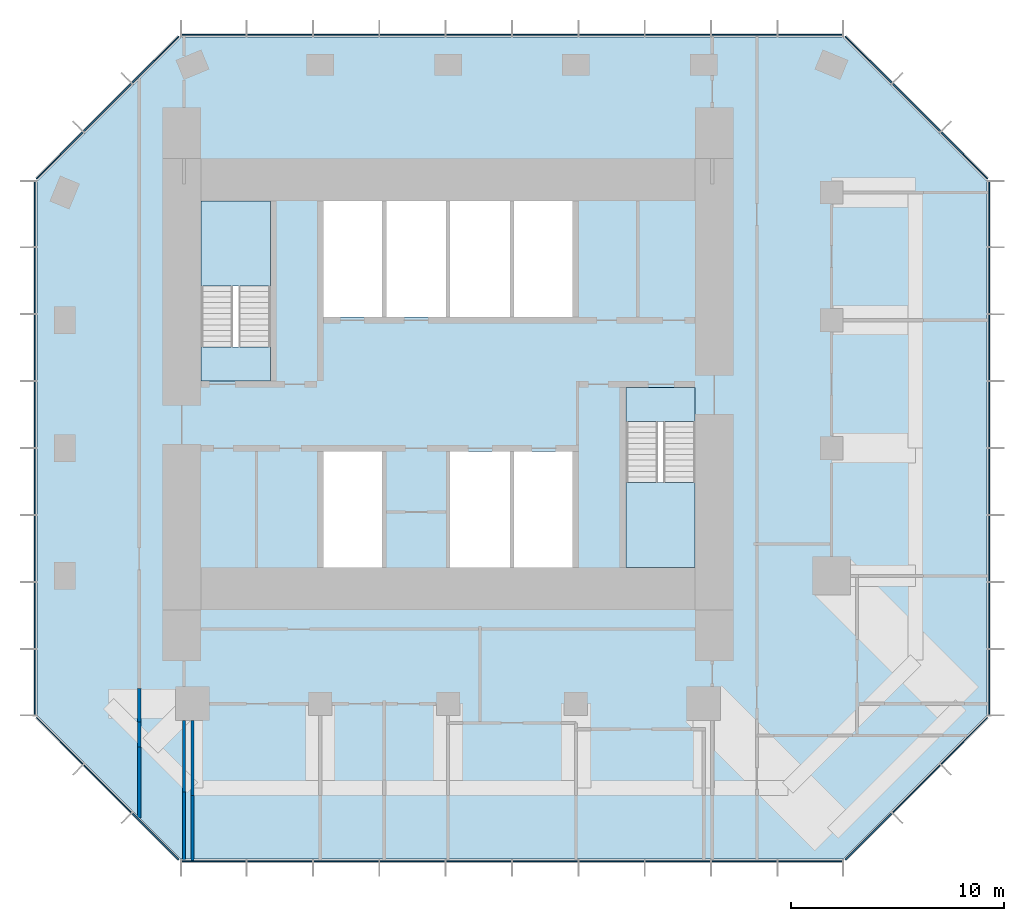
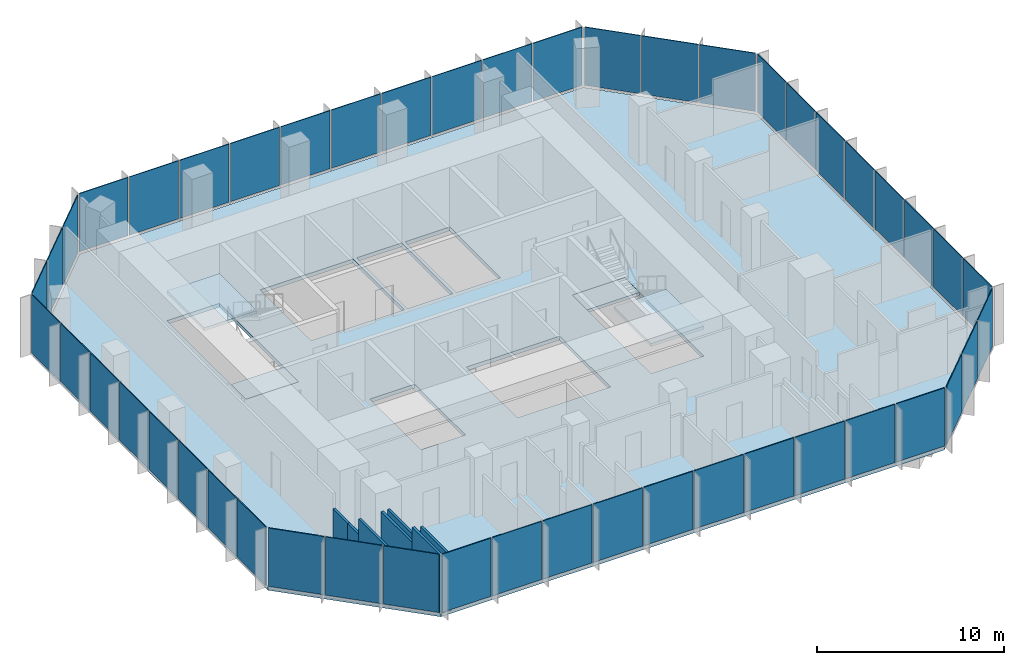
# One storey, part 7 of 11: 48 plates, 7 walls, 5 slabs, 10 elements without a shape of their own.
"""IFC4 building model written with IfcOpenShell, lengths in metres."""

from ifc_helpers import new_model, si_unit, direction, frame, frame_2d, origin, origin_2d, place, context, subcontext, project, spatial, polyline, rectangle, outline, extrude, material, layer, layer_set, type_object, element, aggregate, save


model = new_model("IFC4")

# Units and contexts
model_context = context("Model", 3, precision=1e-05, world=origin(), true_north=direction((0.0, 1.0)))
body_context = subcontext(model_context, "Body", "Model", "MODEL_VIEW")
ifc_project = project(units=[si_unit("LENGTHUNIT", "METRE"), si_unit("AREAUNIT", "SQUARE_METRE"), si_unit("VOLUMEUNIT", "CUBIC_METRE"), si_unit("PLANEANGLEUNIT", "RADIAN"), si_unit("MASSUNIT", "GRAM", prefix="KILO")], contexts=[model_context])

# Site, building, storey
site_placement = place(None, origin())
site = spatial("IfcSite", under=ifc_project, at=site_placement, CompositionType="ELEMENT")
building_placement = place(site_placement, origin())
building = spatial("IfcBuilding", under=site, at=building_placement, Name="Highveld Stack Headquarters", CompositionType="ELEMENT")
storey_placement = place(building_placement, frame((0.0, 0.0, 276.199951171875)))
storey = spatial("IfcBuildingStorey", under=building, at=storey_placement, Name="L68", CompositionType="ELEMENT", Elevation=276.199951171875)

# Curtain wall, plates
ifc_material_1 = material(Name="Aluminium bronze anodised", Category="aluminium")
ifc_layer_1 = layer(ifc_material_1, 0.199951171875)
ifc_layer_set_1 = layer_set([ifc_layer_1], Name="Aluminium bronze anodised")
curtain_wall_type = type_object("IfcCurtainWallType", Name="CW5 EXECUTIVE UNITISED CURTAIN WALL", PredefinedType="NOTDEFINED", material=ifc_layer_set_1)
curtain_wall_1_placement = place(storey_placement, origin())
curtain_wall_1 = element("IfcCurtainWall", 1, at=curtain_wall_1_placement, inside=storey, type_object=curtain_wall_type, Name="Curtain wall CW5 L68 S", PredefinedType="NOTDEFINED")
ifc_material_2 = material(Name="Glass bronze tinted triple glazed unit", Category="glass")
ifc_layer_2 = layer(ifc_material_2, 0.050048828125)
ifc_layer_set_2 = layer_set([ifc_layer_2], Name="Glass bronze tinted triple glazed unit")
plate_type = type_object("IfcPlateType", Name="CW5 PANEL BRONZE TINTED TRIPLE GLAZED UNIT", PredefinedType="CURTAIN_PANEL", material=ifc_layer_set_2)
plate_1_placement = place(storey_placement, frame((-5.005615234375, -19.39990234375, 0.10009765625), z_axis=(0.0, 0.0, 1.0), x_axis=(1.0, 0.0, 0.0)))
plate_1 = element("IfcPlate", 2, at=plate_1_placement, type_object=plate_type, Name="CW5 panel L68 1.1", PredefinedType="CURTAIN_PANEL", context=body_context, shape_type="SweptSolid", body=[
    extrude(rectangle(XDim=3.0185546875, YDim=0.050048828125, at=origin_2d()), origin(), (0.0, 0.0, 1.0), 3.800048828125),
])
plate_2_placement = place(storey_placement, frame((-1.906005859375, -19.39990234375, 0.10009765625), z_axis=(0.0, 0.0, 1.0), x_axis=(1.0, 0.0, 0.0)))
plate_2 = element("IfcPlate", 3, at=plate_2_placement, type_object=plate_type, Name="CW5 panel L68 2.1", PredefinedType="CURTAIN_PANEL", context=body_context, shape_type="SweptSolid", body=[
    extrude(rectangle(XDim=3.051025390625, YDim=0.050048828125, at=origin_2d()), origin(), (0.0, 0.0, 1.0), 3.800048828125),
])
plate_3_placement = place(storey_placement, frame((1.2099609375, -19.39990234375, 0.10009765625), z_axis=(0.0, 0.0, 1.0), x_axis=(1.0, 0.0, 0.0)))
plate_3 = element("IfcPlate", 4, at=plate_3_placement, type_object=plate_type, Name="CW5 panel L68 3.1", PredefinedType="CURTAIN_PANEL", context=body_context, shape_type="SweptSolid", body=[
    extrude(rectangle(XDim=3.051025390625, YDim=0.050048828125, at=origin_2d()), origin(), (0.0, 0.0, 1.0), 3.800048828125),
])
plate_4_placement = place(storey_placement, frame((4.325927734375, -19.39990234375, 0.10009765625), z_axis=(0.0, 0.0, 1.0), x_axis=(1.0, 0.0, 0.0)))
plate_4 = element("IfcPlate", 5, at=plate_4_placement, type_object=plate_type, Name="CW5 panel L68 4.1", PredefinedType="CURTAIN_PANEL", context=body_context, shape_type="SweptSolid", body=[
    extrude(rectangle(XDim=3.051025390625, YDim=0.050048828125, at=origin_2d()), origin(), (0.0, 0.0, 1.0), 3.800048828125),
])
plate_5_placement = place(storey_placement, frame((7.44189453125, -19.39990234375, 0.10009765625), z_axis=(0.0, 0.0, 1.0), x_axis=(1.0, 0.0, 0.0)))
plate_5 = element("IfcPlate", 6, at=plate_5_placement, type_object=plate_type, Name="CW5 panel L68 5.1", PredefinedType="CURTAIN_PANEL", context=body_context, shape_type="SweptSolid", body=[
    extrude(rectangle(XDim=3.051025390625, YDim=0.050048828125, at=origin_2d()), origin(), (0.0, 0.0, 1.0), 3.800048828125),
])
plate_6_placement = place(storey_placement, frame((10.55810546875, -19.39990234375, 0.10009765625), z_axis=(0.0, 0.0, 1.0), x_axis=(1.0, 0.0, 0.0)))
plate_6 = element("IfcPlate", 7, at=plate_6_placement, type_object=plate_type, Name="CW5 panel L68 6.1", PredefinedType="CURTAIN_PANEL", context=body_context, shape_type="SweptSolid", body=[
    extrude(rectangle(XDim=3.051025390625, YDim=0.050048828125, at=origin_2d()), origin(), (0.0, 0.0, 1.0), 3.800048828125),
])
plate_7_placement = place(storey_placement, frame((13.674072265625, -19.39990234375, 0.10009765625), z_axis=(0.0, 0.0, 1.0), x_axis=(1.0, 0.0, 0.0)))
plate_7 = element("IfcPlate", 8, at=plate_7_placement, type_object=plate_type, Name="CW5 panel L68 7.1", PredefinedType="CURTAIN_PANEL", context=body_context, shape_type="SweptSolid", body=[
    extrude(rectangle(XDim=3.051025390625, YDim=0.050048828125, at=origin_2d()), origin(), (0.0, 0.0, 1.0), 3.800048828125),
])
plate_8_placement = place(storey_placement, frame((16.789794921875, -19.39990234375, 0.10009765625), z_axis=(0.0, 0.0, 1.0), x_axis=(1.0, 0.0, 0.0)))
plate_8 = element("IfcPlate", 9, at=plate_8_placement, type_object=plate_type, Name="CW5 panel L68 8.1", PredefinedType="CURTAIN_PANEL", context=body_context, shape_type="SweptSolid", body=[
    extrude(rectangle(XDim=3.051025390625, YDim=0.050048828125, at=origin_2d()), origin(), (0.0, 0.0, 1.0), 3.800048828125),
])
plate_9_placement = place(storey_placement, frame((19.906005859375, -19.39990234375, 0.10009765625), z_axis=(0.0, 0.0, 1.0), x_axis=(1.0, 0.0, 0.0)))
plate_9 = element("IfcPlate", 10, at=plate_9_placement, type_object=plate_type, Name="CW5 panel L68 9.1", PredefinedType="CURTAIN_PANEL", context=body_context, shape_type="SweptSolid", body=[
    extrude(rectangle(XDim=3.051025390625, YDim=0.050048828125, at=origin_2d()), origin(), (0.0, 0.0, 1.0), 3.800048828125),
])
plate_10_placement = place(storey_placement, frame((23.005615234375, -19.39990234375, 0.10009765625), z_axis=(0.0, 0.0, 1.0), x_axis=(1.0, 0.0, 0.0)))
plate_10 = element("IfcPlate", 11, at=plate_10_placement, type_object=plate_type, Name="CW5 panel L68 10.1", PredefinedType="CURTAIN_PANEL", context=body_context, shape_type="SweptSolid", body=[
    extrude(rectangle(XDim=3.0185546875, YDim=0.050048828125, at=origin_2d()), origin(), (0.0, 0.0, 1.0), 3.800048828125),
])
aggregate(curtain_wall_1, [plate_1, plate_2, plate_3, plate_4, plate_5, plate_6, plate_7, plate_8, plate_9, plate_10])

curtain_wall_2_placement = place(storey_placement, origin())
curtain_wall_2 = element("IfcCurtainWall", 12, at=curtain_wall_2_placement, inside=storey, type_object=curtain_wall_type, Name="Curtain wall CW5 L68 SE", PredefinedType="NOTDEFINED")
plate_11_placement = place(storey_placement, frame((25.740478515625, -18.239501953125, 0.10009765625), z_axis=(0.0, 0.0, 1.0), x_axis=(0.707106781187, 0.707106781187, 0.0)))
plate_11 = element("IfcPlate", 13, at=plate_11_placement, type_object=plate_type, Name="CW5 panel L68 1.1", PredefinedType="CURTAIN_PANEL", context=body_context, shape_type="SweptSolid", body=[
    extrude(rectangle(XDim=3.08251953125, YDim=0.050048828125, at=origin_2d()), origin(), (0.0, 0.0, 1.0), 3.800048828125),
])
plate_12_placement = place(storey_placement, frame((27.989990234375, -15.989990234375, 0.10009765625), z_axis=(0.0, 0.0, 1.0), x_axis=(0.707106781187, 0.707106781187, 0.0)))
plate_12 = element("IfcPlate", 14, at=plate_12_placement, type_object=plate_type, Name="CW5 panel L68 2.1", PredefinedType="CURTAIN_PANEL", context=body_context, shape_type="SweptSolid", body=[
    extrude(rectangle(XDim=3.14990234375, YDim=0.050048828125, at=origin_2d()), origin(), (0.0, 0.0, 1.0), 3.800048828125),
])
plate_13_placement = place(storey_placement, frame((30.239501953125, -13.740478515625, 0.10009765625), z_axis=(0.0, 0.0, 1.0), x_axis=(0.707106781187, 0.707106781187, 0.0)))
plate_13 = element("IfcPlate", 15, at=plate_13_placement, type_object=plate_type, Name="CW5 panel L68 3.1", PredefinedType="CURTAIN_PANEL", context=body_context, shape_type="SweptSolid", body=[
    extrude(rectangle(XDim=3.08251953125, YDim=0.050048828125, at=origin_2d()), origin(), (0.0, 0.0, 1.0), 3.800048828125),
])
aggregate(curtain_wall_2, [plate_11, plate_12, plate_13])

curtain_wall_3_placement = place(storey_placement, origin())
curtain_wall_3 = element("IfcCurtainWall", 16, at=curtain_wall_3_placement, inside=storey, type_object=curtain_wall_type, Name="Curtain wall CW5 L68 E", PredefinedType="NOTDEFINED")
plate_14_placement = place(storey_placement, frame((31.39990234375, -10.9912109375, 0.10009765625), z_axis=(0.0, 0.0, 1.0), x_axis=(0.0, 1.0, 0.0)))
plate_14 = element("IfcPlate", 17, at=plate_14_placement, type_object=plate_type, Name="CW5 panel L68 1.1", PredefinedType="CURTAIN_PANEL", context=body_context, shape_type="SweptSolid", body=[
    extrude(rectangle(XDim=3.047607421875, YDim=0.050048828125, at=origin_2d()), origin(), (0.0, 0.0, 1.0), 3.800048828125),
])
plate_15_placement = place(storey_placement, frame((31.39990234375, -7.8623046875, 0.10009765625), z_axis=(0.0, 0.0, 1.0), x_axis=(0.0, 1.0, 0.0)))
plate_15 = element("IfcPlate", 18, at=plate_15_placement, type_object=plate_type, Name="CW5 panel L68 2.1", PredefinedType="CURTAIN_PANEL", context=body_context, shape_type="SweptSolid", body=[
    extrude(rectangle(XDim=3.080078125, YDim=0.050048828125, at=origin_2d()), origin(), (0.0, 0.0, 1.0), 3.800048828125),
])
plate_16_placement = place(storey_placement, frame((31.39990234375, -4.717529296875, 0.10009765625), z_axis=(0.0, 0.0, 1.0), x_axis=(0.0, 1.0, 0.0)))
plate_16 = element("IfcPlate", 19, at=plate_16_placement, type_object=plate_type, Name="CW5 panel L68 3.1", PredefinedType="CURTAIN_PANEL", context=body_context, shape_type="SweptSolid", body=[
    extrude(rectangle(XDim=3.080078125, YDim=0.050048828125, at=origin_2d()), origin(), (0.0, 0.0, 1.0), 3.800048828125),
])
plate_17_placement = place(storey_placement, frame((31.39990234375, -1.572509765625, 0.10009765625), z_axis=(0.0, 0.0, 1.0), x_axis=(0.0, 1.0, 0.0)))
plate_17 = element("IfcPlate", 20, at=plate_17_placement, type_object=plate_type, Name="CW5 panel L68 4.1", PredefinedType="CURTAIN_PANEL", context=body_context, shape_type="SweptSolid", body=[
    extrude(rectangle(XDim=3.080078125, YDim=0.050048828125, at=origin_2d()), origin(), (0.0, 0.0, 1.0), 3.800048828125),
])
plate_18_placement = place(storey_placement, frame((31.39990234375, 1.572509765625, 0.10009765625), z_axis=(0.0, 0.0, 1.0), x_axis=(0.0, 1.0, 0.0)))
plate_18 = element("IfcPlate", 21, at=plate_18_placement, type_object=plate_type, Name="CW5 panel L68 5.1", PredefinedType="CURTAIN_PANEL", context=body_context, shape_type="SweptSolid", body=[
    extrude(rectangle(XDim=3.080078125, YDim=0.050048828125, at=origin_2d()), origin(), (0.0, 0.0, 1.0), 3.800048828125),
])
plate_19_placement = place(storey_placement, frame((31.39990234375, 4.717529296875, 0.10009765625), z_axis=(0.0, 0.0, 1.0), x_axis=(0.0, 1.0, 0.0)))
plate_19 = element("IfcPlate", 22, at=plate_19_placement, type_object=plate_type, Name="CW5 panel L68 6.1", PredefinedType="CURTAIN_PANEL", context=body_context, shape_type="SweptSolid", body=[
    extrude(rectangle(XDim=3.080078125, YDim=0.050048828125, at=origin_2d()), origin(), (0.0, 0.0, 1.0), 3.800048828125),
])
plate_20_placement = place(storey_placement, frame((31.39990234375, 7.8623046875, 0.10009765625), z_axis=(0.0, 0.0, 1.0), x_axis=(0.0, 1.0, 0.0)))
plate_20 = element("IfcPlate", 23, at=plate_20_placement, type_object=plate_type, Name="CW5 panel L68 7.1", PredefinedType="CURTAIN_PANEL", context=body_context, shape_type="SweptSolid", body=[
    extrude(rectangle(XDim=3.080078125, YDim=0.050048828125, at=origin_2d()), origin(), (0.0, 0.0, 1.0), 3.800048828125),
])
plate_21_placement = place(storey_placement, frame((31.39990234375, 10.9912109375, 0.10009765625), z_axis=(0.0, 0.0, 1.0), x_axis=(0.0, 1.0, 0.0)))
plate_21 = element("IfcPlate", 24, at=plate_21_placement, type_object=plate_type, Name="CW5 panel L68 8.1", PredefinedType="CURTAIN_PANEL", context=body_context, shape_type="SweptSolid", body=[
    extrude(rectangle(XDim=3.047607421875, YDim=0.050048828125, at=origin_2d()), origin(), (0.0, 0.0, 1.0), 3.800048828125),
])
aggregate(curtain_wall_3, [plate_14, plate_15, plate_16, plate_17, plate_18, plate_19, plate_20, plate_21])

curtain_wall_4_placement = place(storey_placement, origin())
curtain_wall_4 = element("IfcCurtainWall", 25, at=curtain_wall_4_placement, inside=storey, type_object=curtain_wall_type, Name="Curtain wall CW5 L68 NE", PredefinedType="NOTDEFINED")
plate_22_placement = place(storey_placement, frame((30.239501953125, 13.740478515625, 0.10009765625), z_axis=(0.0, 0.0, 1.0), x_axis=(-0.707106781187, 0.707106781187, 0.0)))
plate_22 = element("IfcPlate", 26, at=plate_22_placement, type_object=plate_type, Name="CW5 panel L68 1.1", PredefinedType="CURTAIN_PANEL", context=body_context, shape_type="SweptSolid", body=[
    extrude(rectangle(XDim=3.08251953125, YDim=0.050048828125, at=origin_2d()), origin(), (0.0, 0.0, 1.0), 3.800048828125),
])
plate_23_placement = place(storey_placement, frame((27.989990234375, 15.989990234375, 0.10009765625), z_axis=(0.0, 0.0, 1.0), x_axis=(-0.707106781187, 0.707106781187, 0.0)))
plate_23 = element("IfcPlate", 27, at=plate_23_placement, type_object=plate_type, Name="CW5 panel L68 2.1", PredefinedType="CURTAIN_PANEL", context=body_context, shape_type="SweptSolid", body=[
    extrude(rectangle(XDim=3.14990234375, YDim=0.050048828125, at=origin_2d()), origin(), (0.0, 0.0, 1.0), 3.800048828125),
])
plate_24_placement = place(storey_placement, frame((25.740478515625, 18.239501953125, 0.10009765625), z_axis=(0.0, 0.0, 1.0), x_axis=(-0.707106781187, 0.707106781187, 0.0)))
plate_24 = element("IfcPlate", 28, at=plate_24_placement, type_object=plate_type, Name="CW5 panel L68 3.1", PredefinedType="CURTAIN_PANEL", context=body_context, shape_type="SweptSolid", body=[
    extrude(rectangle(XDim=3.08251953125, YDim=0.050048828125, at=origin_2d()), origin(), (0.0, 0.0, 1.0), 3.800048828125),
])
aggregate(curtain_wall_4, [plate_22, plate_23, plate_24])

curtain_wall_5_placement = place(storey_placement, origin())
curtain_wall_5 = element("IfcCurtainWall", 29, at=curtain_wall_5_placement, inside=storey, type_object=curtain_wall_type, Name="Curtain wall CW5 L68 N", PredefinedType="NOTDEFINED")
plate_25_placement = place(storey_placement, frame((23.005615234375, 19.39990234375, 0.10009765625), z_axis=(0.0, 0.0, 1.0), x_axis=(-1.0, 0.0, 0.0)))
plate_25 = element("IfcPlate", 30, at=plate_25_placement, type_object=plate_type, Name="CW5 panel L68 1.1", PredefinedType="CURTAIN_PANEL", context=body_context, shape_type="SweptSolid", body=[
    extrude(rectangle(XDim=3.0185546875, YDim=0.050048828125, at=origin_2d()), origin(), (0.0, 0.0, 1.0), 3.800048828125),
])
plate_26_placement = place(storey_placement, frame((19.906005859375, 19.39990234375, 0.10009765625), z_axis=(0.0, 0.0, 1.0), x_axis=(-1.0, 0.0, 0.0)))
plate_26 = element("IfcPlate", 31, at=plate_26_placement, type_object=plate_type, Name="CW5 panel L68 2.1", PredefinedType="CURTAIN_PANEL", context=body_context, shape_type="SweptSolid", body=[
    extrude(rectangle(XDim=3.051025390625, YDim=0.050048828125, at=origin_2d()), origin(), (0.0, 0.0, 1.0), 3.800048828125),
])
plate_27_placement = place(storey_placement, frame((16.7900390625, 19.39990234375, 0.10009765625), z_axis=(0.0, 0.0, 1.0), x_axis=(-1.0, 0.0, 0.0)))
plate_27 = element("IfcPlate", 32, at=plate_27_placement, type_object=plate_type, Name="CW5 panel L68 3.1", PredefinedType="CURTAIN_PANEL", context=body_context, shape_type="SweptSolid", body=[
    extrude(rectangle(XDim=3.051025390625, YDim=0.050048828125, at=origin_2d()), origin(), (0.0, 0.0, 1.0), 3.800048828125),
])
plate_28_placement = place(storey_placement, frame((13.674072265625, 19.39990234375, 0.10009765625), z_axis=(0.0, 0.0, 1.0), x_axis=(-1.0, 0.0, 0.0)))
plate_28 = element("IfcPlate", 33, at=plate_28_placement, type_object=plate_type, Name="CW5 panel L68 4.1", PredefinedType="CURTAIN_PANEL", context=body_context, shape_type="SweptSolid", body=[
    extrude(rectangle(XDim=3.051025390625, YDim=0.050048828125, at=origin_2d()), origin(), (0.0, 0.0, 1.0), 3.800048828125),
])
plate_29_placement = place(storey_placement, frame((10.55810546875, 19.39990234375, 0.10009765625), z_axis=(0.0, 0.0, 1.0), x_axis=(-1.0, 0.0, 0.0)))
plate_29 = element("IfcPlate", 34, at=plate_29_placement, type_object=plate_type, Name="CW5 panel L68 5.1", PredefinedType="CURTAIN_PANEL", context=body_context, shape_type="SweptSolid", body=[
    extrude(rectangle(XDim=3.051025390625, YDim=0.050048828125, at=origin_2d()), origin(), (0.0, 0.0, 1.0), 3.800048828125),
])
plate_30_placement = place(storey_placement, frame((7.44189453125, 19.39990234375, 0.10009765625), z_axis=(0.0, 0.0, 1.0), x_axis=(-1.0, 0.0, 0.0)))
plate_30 = element("IfcPlate", 35, at=plate_30_placement, type_object=plate_type, Name="CW5 panel L68 6.1", PredefinedType="CURTAIN_PANEL", context=body_context, shape_type="SweptSolid", body=[
    extrude(rectangle(XDim=3.051025390625, YDim=0.050048828125, at=origin_2d()), origin(), (0.0, 0.0, 1.0), 3.800048828125),
])
plate_31_placement = place(storey_placement, frame((4.325927734375, 19.39990234375, 0.10009765625), z_axis=(0.0, 0.0, 1.0), x_axis=(-1.0, 0.0, 0.0)))
plate_31 = element("IfcPlate", 36, at=plate_31_placement, type_object=plate_type, Name="CW5 panel L68 7.1", PredefinedType="CURTAIN_PANEL", context=body_context, shape_type="SweptSolid", body=[
    extrude(rectangle(XDim=3.051025390625, YDim=0.050048828125, at=origin_2d()), origin(), (0.0, 0.0, 1.0), 3.800048828125),
])
plate_32_placement = place(storey_placement, frame((1.210205078125, 19.39990234375, 0.10009765625), z_axis=(0.0, 0.0, 1.0), x_axis=(-1.0, 0.0, 0.0)))
plate_32 = element("IfcPlate", 37, at=plate_32_placement, type_object=plate_type, Name="CW5 panel L68 8.1", PredefinedType="CURTAIN_PANEL", context=body_context, shape_type="SweptSolid", body=[
    extrude(rectangle(XDim=3.051025390625, YDim=0.050048828125, at=origin_2d()), origin(), (0.0, 0.0, 1.0), 3.800048828125),
])
plate_33_placement = place(storey_placement, frame((-1.906005859375, 19.39990234375, 0.10009765625), z_axis=(0.0, 0.0, 1.0), x_axis=(-1.0, 0.0, 0.0)))
plate_33 = element("IfcPlate", 38, at=plate_33_placement, type_object=plate_type, Name="CW5 panel L68 9.1", PredefinedType="CURTAIN_PANEL", context=body_context, shape_type="SweptSolid", body=[
    extrude(rectangle(XDim=3.051025390625, YDim=0.050048828125, at=origin_2d()), origin(), (0.0, 0.0, 1.0), 3.800048828125),
])
plate_34_placement = place(storey_placement, frame((-5.005615234375, 19.39990234375, 0.10009765625), z_axis=(0.0, 0.0, 1.0), x_axis=(-1.0, 0.0, 0.0)))
plate_34 = element("IfcPlate", 39, at=plate_34_placement, type_object=plate_type, Name="CW5 panel L68 10.1", PredefinedType="CURTAIN_PANEL", context=body_context, shape_type="SweptSolid", body=[
    extrude(rectangle(XDim=3.0185546875, YDim=0.050048828125, at=origin_2d()), origin(), (0.0, 0.0, 1.0), 3.800048828125),
])
aggregate(curtain_wall_5, [plate_25, plate_26, plate_27, plate_28, plate_29, plate_30, plate_31, plate_32, plate_33, plate_34])

curtain_wall_6_placement = place(storey_placement, origin())
curtain_wall_6 = element("IfcCurtainWall", 40, at=curtain_wall_6_placement, inside=storey, type_object=curtain_wall_type, Name="Curtain wall CW5 L68 NW", PredefinedType="NOTDEFINED")
plate_35_placement = place(storey_placement, frame((-7.740478515625, 18.239501953125, 0.10009765625), z_axis=(0.0, 0.0, 1.0), x_axis=(-0.707106781187, -0.707106781187, 0.0)))
plate_35 = element("IfcPlate", 41, at=plate_35_placement, type_object=plate_type, Name="CW5 panel L68 1.1", PredefinedType="CURTAIN_PANEL", context=body_context, shape_type="SweptSolid", body=[
    extrude(rectangle(XDim=3.08251953125, YDim=0.050048828125, at=origin_2d()), origin(), (0.0, 0.0, 1.0), 3.800048828125),
])
plate_36_placement = place(storey_placement, frame((-9.989990234375, 15.989990234375, 0.10009765625), z_axis=(0.0, 0.0, 1.0), x_axis=(-0.707106781187, -0.707106781187, 0.0)))
plate_36 = element("IfcPlate", 42, at=plate_36_placement, type_object=plate_type, Name="CW5 panel L68 2.1", PredefinedType="CURTAIN_PANEL", context=body_context, shape_type="SweptSolid", body=[
    extrude(rectangle(XDim=3.14990234375, YDim=0.050048828125, at=origin_2d()), origin(), (0.0, 0.0, 1.0), 3.800048828125),
])
plate_37_placement = place(storey_placement, frame((-12.239501953125, 13.740478515625, 0.10009765625), z_axis=(0.0, 0.0, 1.0), x_axis=(-0.707106781187, -0.707106781187, 0.0)))
plate_37 = element("IfcPlate", 43, at=plate_37_placement, type_object=plate_type, Name="CW5 panel L68 3.1", PredefinedType="CURTAIN_PANEL", context=body_context, shape_type="SweptSolid", body=[
    extrude(rectangle(XDim=3.08251953125, YDim=0.050048828125, at=origin_2d()), origin(), (0.0, 0.0, 1.0), 3.800048828125),
])
aggregate(curtain_wall_6, [plate_35, plate_36, plate_37])

curtain_wall_7_placement = place(storey_placement, origin())
curtain_wall_7 = element("IfcCurtainWall", 44, at=curtain_wall_7_placement, inside=storey, type_object=curtain_wall_type, Name="Curtain wall CW5 L68 W", PredefinedType="NOTDEFINED")
plate_38_placement = place(storey_placement, frame((-13.39990234375, 10.9912109375, 0.10009765625), z_axis=(0.0, 0.0, 1.0), x_axis=(0.0, -1.0, 0.0)))
plate_38 = element("IfcPlate", 45, at=plate_38_placement, type_object=plate_type, Name="CW5 panel L68 1.1", PredefinedType="CURTAIN_PANEL", context=body_context, shape_type="SweptSolid", body=[
    extrude(rectangle(XDim=3.047607421875, YDim=0.050048828125, at=origin_2d()), origin(), (0.0, 0.0, 1.0), 3.800048828125),
])
plate_39_placement = place(storey_placement, frame((-13.39990234375, 7.8623046875, 0.10009765625), z_axis=(0.0, 0.0, 1.0), x_axis=(0.0, -1.0, 0.0)))
plate_39 = element("IfcPlate", 46, at=plate_39_placement, type_object=plate_type, Name="CW5 panel L68 2.1", PredefinedType="CURTAIN_PANEL", context=body_context, shape_type="SweptSolid", body=[
    extrude(rectangle(XDim=3.080078125, YDim=0.050048828125, at=origin_2d()), origin(), (0.0, 0.0, 1.0), 3.800048828125),
])
plate_40_placement = place(storey_placement, frame((-13.39990234375, 4.717529296875, 0.10009765625), z_axis=(0.0, 0.0, 1.0), x_axis=(0.0, -1.0, 0.0)))
plate_40 = element("IfcPlate", 47, at=plate_40_placement, type_object=plate_type, Name="CW5 panel L68 3.1", PredefinedType="CURTAIN_PANEL", context=body_context, shape_type="SweptSolid", body=[
    extrude(rectangle(XDim=3.080078125, YDim=0.050048828125, at=origin_2d()), origin(), (0.0, 0.0, 1.0), 3.800048828125),
])
plate_41_placement = place(storey_placement, frame((-13.39990234375, 1.572509765625, 0.10009765625), z_axis=(0.0, 0.0, 1.0), x_axis=(0.0, -1.0, 0.0)))
plate_41 = element("IfcPlate", 48, at=plate_41_placement, type_object=plate_type, Name="CW5 panel L68 4.1", PredefinedType="CURTAIN_PANEL", context=body_context, shape_type="SweptSolid", body=[
    extrude(rectangle(XDim=3.080078125, YDim=0.050048828125, at=origin_2d()), origin(), (0.0, 0.0, 1.0), 3.800048828125),
])
plate_42_placement = place(storey_placement, frame((-13.39990234375, -1.572509765625, 0.10009765625), z_axis=(0.0, 0.0, 1.0), x_axis=(0.0, -1.0, 0.0)))
plate_42 = element("IfcPlate", 49, at=plate_42_placement, type_object=plate_type, Name="CW5 panel L68 5.1", PredefinedType="CURTAIN_PANEL", context=body_context, shape_type="SweptSolid", body=[
    extrude(rectangle(XDim=3.080078125, YDim=0.050048828125, at=origin_2d()), origin(), (0.0, 0.0, 1.0), 3.800048828125),
])
plate_43_placement = place(storey_placement, frame((-13.39990234375, -4.717529296875, 0.10009765625), z_axis=(0.0, 0.0, 1.0), x_axis=(0.0, -1.0, 0.0)))
plate_43 = element("IfcPlate", 50, at=plate_43_placement, type_object=plate_type, Name="CW5 panel L68 6.1", PredefinedType="CURTAIN_PANEL", context=body_context, shape_type="SweptSolid", body=[
    extrude(rectangle(XDim=3.080078125, YDim=0.050048828125, at=origin_2d()), origin(), (0.0, 0.0, 1.0), 3.800048828125),
])
plate_44_placement = place(storey_placement, frame((-13.39990234375, -7.8623046875, 0.10009765625), z_axis=(0.0, 0.0, 1.0), x_axis=(0.0, -1.0, 0.0)))
plate_44 = element("IfcPlate", 51, at=plate_44_placement, type_object=plate_type, Name="CW5 panel L68 7.1", PredefinedType="CURTAIN_PANEL", context=body_context, shape_type="SweptSolid", body=[
    extrude(rectangle(XDim=3.080078125, YDim=0.050048828125, at=origin_2d()), origin(), (0.0, 0.0, 1.0), 3.800048828125),
])
plate_45_placement = place(storey_placement, frame((-13.39990234375, -10.9912109375, 0.10009765625), z_axis=(0.0, 0.0, 1.0), x_axis=(0.0, -1.0, 0.0)))
plate_45 = element("IfcPlate", 52, at=plate_45_placement, type_object=plate_type, Name="CW5 panel L68 8.1", PredefinedType="CURTAIN_PANEL", context=body_context, shape_type="SweptSolid", body=[
    extrude(rectangle(XDim=3.047607421875, YDim=0.050048828125, at=origin_2d()), origin(), (0.0, 0.0, 1.0), 3.800048828125),
])
aggregate(curtain_wall_7, [plate_38, plate_39, plate_40, plate_41, plate_42, plate_43, plate_44, plate_45])

curtain_wall_8_placement = place(storey_placement, origin())
curtain_wall_8 = element("IfcCurtainWall", 53, at=curtain_wall_8_placement, inside=storey, type_object=curtain_wall_type, Name="Curtain wall CW5 L68 SW", PredefinedType="NOTDEFINED")
plate_46_placement = place(storey_placement, frame((-12.239501953125, -13.740478515625, 0.10009765625), z_axis=(0.0, 0.0, 1.0), x_axis=(0.707106781187, -0.707106781187, 0.0)))
plate_46 = element("IfcPlate", 54, at=plate_46_placement, type_object=plate_type, Name="CW5 panel L68 1.1", PredefinedType="CURTAIN_PANEL", context=body_context, shape_type="SweptSolid", body=[
    extrude(rectangle(XDim=3.08251953125, YDim=0.050048828125, at=origin_2d()), origin(), (0.0, 0.0, 1.0), 3.800048828125),
])
plate_47_placement = place(storey_placement, frame((-9.989990234375, -15.989990234375, 0.10009765625), z_axis=(0.0, 0.0, 1.0), x_axis=(0.707106781187, -0.707106781187, 0.0)))
plate_47 = element("IfcPlate", 55, at=plate_47_placement, type_object=plate_type, Name="CW5 panel L68 2.1", PredefinedType="CURTAIN_PANEL", context=body_context, shape_type="SweptSolid", body=[
    extrude(rectangle(XDim=3.14990234375, YDim=0.050048828125, at=origin_2d()), origin(), (0.0, 0.0, 1.0), 3.800048828125),
])
plate_48_placement = place(storey_placement, frame((-7.740478515625, -18.239501953125, 0.10009765625), z_axis=(0.0, 0.0, 1.0), x_axis=(0.707106781187, -0.707106781187, 0.0)))
plate_48 = element("IfcPlate", 56, at=plate_48_placement, type_object=plate_type, Name="CW5 panel L68 3.1", PredefinedType="CURTAIN_PANEL", context=body_context, shape_type="SweptSolid", body=[
    extrude(rectangle(XDim=3.08251953125, YDim=0.050048828125, at=origin_2d()), origin(), (0.0, 0.0, 1.0), 3.800048828125),
])
aggregate(curtain_wall_8, [plate_46, plate_47, plate_48])

# Slab
ifc_material_3 = material(Name="Concrete C60/75", Category="concrete")
ifc_layer_3 = layer(ifc_material_3, 0.25)
ifc_layer_set_3 = layer_set([ifc_layer_3], Name="Concrete C60/75")
slab_type_1 = type_object("IfcSlabType", Name="PT FLAT SLAB 250", PredefinedType="FLOOR", material=ifc_layer_set_3)
slab_1_placement = place(storey_placement, frame((0.0, 0.0, -0.25)))
element("IfcSlab", 57, at=slab_1_placement, inside=storey, type_object=slab_type_1, Name="Floor slab L68", PredefinedType="FLOOR", context=body_context, shape_type="SweptSolid", body=[
    extrude(outline(polyline([(-6.53857421875, -19.300048828125), (24.53857421875, -19.300048828125), (31.300048828125, -12.53857421875), (31.300048828125, 12.53857421875), (24.53857421875, 19.300048828125), (-6.53857421875, 19.300048828125), (-13.300048828125, 12.53857421875), (-13.300048828125, -12.53857421875), (-6.53857421875, -19.300048828125)]), holes=[polyline([(0.14990234375, 6.14990234375), (5.89990234375, 6.14990234375), (5.89990234375, 11.60009765625), (0.14990234375, 11.60009765625), (0.14990234375, 6.14990234375)]), polyline([(9.10009765625, 6.14990234375), (11.85009765625, 6.14990234375), (11.85009765625, 11.60009765625), (9.10009765625, 11.60009765625), (9.10009765625, 6.14990234375)]), polyline([(6.10009765625, 6.14990234375), (8.89990234375, 6.14990234375), (8.89990234375, 11.60009765625), (6.10009765625, 11.60009765625), (6.10009765625, 6.14990234375)]), polyline([(6.10009765625, -5.60009765625), (11.85009765625, -5.60009765625), (11.85009765625, -0.14990234375), (6.10009765625, -0.14990234375), (6.10009765625, -5.60009765625)]), polyline([(0.14990234375, -5.60009765625), (2.89990234375, -5.60009765625), (2.89990234375, -0.14990234375), (0.14990234375, -0.14990234375), (0.14990234375, -5.60009765625)]), polyline([(-5.60009765625, 3.14990234375), (-2.35009765625, 3.14990234375), (-2.35009765625, 11.60009765625), (-5.60009765625, 11.60009765625), (-5.60009765625, 3.14990234375)]), polyline([(14.35009765625, -5.60009765625), (17.60009765625, -5.60009765625), (17.60009765625, 2.85009765625), (14.35009765625, 2.85009765625), (14.35009765625, -5.60009765625)])]), origin(), (0.0, 0.0, 1.0), 0.25),
])

# Stair, slabs
ifc_material_4 = material(Name="Concrete C40/50, precast", Category="concrete")
stair_type_1 = type_object("IfcStairType", Name="STAIR S1 HALF TURN 1500", PredefinedType="HALF_TURN_STAIR", material=ifc_material_4)
stair_1_placement = place(storey_placement, origin())
stair_1 = element("IfcStair", 58, at=stair_1_placement, inside=storey, type_object=stair_type_1, Name="Stair S1 L68", PredefinedType="HALF_TURN_STAIR")
ifc_material_5 = material(Name="Concrete C40/50, precast", Category="concrete")
ifc_layer_4 = layer(ifc_material_5, 0.199951171875)
ifc_layer_set_4 = layer_set([ifc_layer_4], Name="Concrete C40/50, precast")
slab_type_2 = type_object("IfcSlabType", Name="STAIR LANDING 200", PredefinedType="LANDING", material=ifc_layer_set_4)
slab_2_placement = place(storey_placement, frame((0.0, 0.0, 1.75)))
slab_2 = element("IfcSlab", 59, at=slab_2_placement, type_object=slab_type_2, Name="S1 landing 1", PredefinedType="LANDING", context=body_context, shape_type="SweptSolid", body=[
    extrude(outline(polyline([(-5.60009765625, 7.610107421875), (-2.35009765625, 7.610107421875), (-2.35009765625, 11.60009765625), (-5.60009765625, 11.60009765625), (-5.60009765625, 7.610107421875)])), origin(), (0.0, 0.0, 1.0), 0.199951171875),
])
slab_3_placement = place(storey_placement, frame((0.0, 0.0, -0.199951171875)))
slab_3 = element("IfcSlab", 60, at=slab_3_placement, type_object=slab_type_2, Name="S1 landing 2", PredefinedType="LANDING", context=body_context, shape_type="SweptSolid", body=[
    extrude(outline(polyline([(-5.60009765625, 3.14990234375), (-2.35009765625, 3.14990234375), (-2.35009765625, 4.75), (-5.60009765625, 4.75), (-5.60009765625, 3.14990234375)])), origin(), (0.0, 0.0, 1.0), 0.199951171875),
])
aggregate(stair_1, [slab_2, slab_3])

ifc_material_6 = material(Name="Concrete C40/50, precast", Category="concrete")
stair_type_2 = type_object("IfcStairType", Name="STAIR S2 HALF TURN 1500", PredefinedType="HALF_TURN_STAIR", material=ifc_material_6)
stair_2_placement = place(storey_placement, origin())
stair_2 = element("IfcStair", 61, at=stair_2_placement, inside=storey, type_object=stair_type_2, Name="Stair S2 L68", PredefinedType="HALF_TURN_STAIR")
slab_4_placement = place(storey_placement, frame((0.0, 0.0, 1.75)))
slab_4 = element("IfcSlab", 62, at=slab_4_placement, type_object=slab_type_2, Name="S2 landing 1", PredefinedType="LANDING", context=body_context, shape_type="SweptSolid", body=[
    extrude(outline(polyline([(14.35009765625, -5.60009765625), (17.60009765625, -5.60009765625), (17.60009765625, -1.610107421875), (14.35009765625, -1.610107421875), (14.35009765625, -5.60009765625)])), origin(), (0.0, 0.0, 1.0), 0.199951171875),
])
slab_5_placement = place(storey_placement, frame((0.0, 0.0, -0.199951171875)))
slab_5 = element("IfcSlab", 63, at=slab_5_placement, type_object=slab_type_2, Name="S2 landing 2", PredefinedType="LANDING", context=body_context, shape_type="SweptSolid", body=[
    extrude(outline(polyline([(14.35009765625, 1.25), (17.60009765625, 1.25), (17.60009765625, 2.85009765625), (14.35009765625, 2.85009765625), (14.35009765625, 1.25)])), origin(), (0.0, 0.0, 1.0), 0.199951171875),
])
aggregate(stair_2, [slab_4, slab_5])

# Walls
ifc_material_7 = material(Name="Gypsum plasterboard on steel studs", Category="steel")
ifc_layer_5 = layer(ifc_material_7, 0.14990234375)
ifc_layer_set_5 = layer_set([ifc_layer_5], Name="Gypsum plasterboard on steel studs")
wall_type = type_object("IfcWallType", Name="PARTITION 150 PLASTERBOARD", PredefinedType="PARTITIONING", material=ifc_layer_set_5)
wall_1_placement = place(storey_placement, frame((-6.0, -19.375, 0.0), z_axis=(0.0, 0.0, 1.0), x_axis=(0.0, 1.0, 0.0)))
element("IfcWall", 64, at=wall_1_placement, inside=storey, type_object=wall_type, Name="Partition Meeting room L68", PredefinedType="PARTITIONING", context=body_context, shape_type="SweptSolid", body=[
    extrude(rectangle(XDim=3.06494140625, YDim=0.14990234375, at=frame_2d((1.532470703125, 0.0))), origin(), (0.0, 0.0, 1.0), 3.650146484375),
])
wall_2_placement = place(storey_placement, frame((-6.0, -16.31005859375, 0.0), z_axis=(0.0, 0.0, 1.0), x_axis=(0.0, 1.0, 0.0)))
element("IfcWall", 65, at=wall_2_placement, inside=storey, type_object=wall_type, Name="Partition Meeting room L68", PredefinedType="PARTITIONING", context=body_context, shape_type="SweptSolid", body=[
    extrude(rectangle(XDim=3.510009765625, YDim=0.14990234375, at=frame_2d((1.7548828125, 0.0))), origin(), (0.0, 0.0, 1.0), 2.650146484375),
])
wall_3_placement = place(storey_placement, frame((-8.5, -17.363037109375, 0.0), z_axis=(0.0, 0.0, 1.0), x_axis=(0.0, 1.0, 0.0)))
element("IfcWall", 66, at=wall_3_placement, inside=storey, type_object=wall_type, Name="Partition office neighbourhood L68", PredefinedType="PARTITIONING", context=body_context, shape_type="SweptSolid", body=[
    extrude(rectangle(XDim=3.322998046875, YDim=0.14990234375, at=frame_2d((1.66162109375, 0.0))), origin(), (0.0, 0.0, 1.0), 3.650146484375),
])
wall_4_placement = place(storey_placement, frame((-8.5, -14.0400390625, 0.0), z_axis=(0.0, 0.0, 1.0), x_axis=(0.0, 1.0, 0.0)))
element("IfcWall", 67, at=wall_4_placement, inside=storey, type_object=wall_type, Name="Partition office neighbourhood L68", PredefinedType="PARTITIONING", context=body_context, shape_type="SweptSolid", body=[
    extrude(rectangle(XDim=1.179931640625, YDim=0.14990234375, at=frame_2d((0.58984375, 0.0))), origin(), (0.0, 0.0, 1.0), 2.650146484375),
])
wall_5_placement = place(storey_placement, frame((-8.5, -12.860107421875, 0.0), z_axis=(0.0, 0.0, 1.0), x_axis=(0.0, 1.0, 0.0)))
element("IfcWall", 68, at=wall_5_placement, inside=storey, type_object=wall_type, Name="Partition office neighbourhood L68", PredefinedType="PARTITIONING", context=body_context, shape_type="SweptSolid", body=[
    extrude(rectangle(XDim=1.570068359375, YDim=0.14990234375, at=frame_2d((0.78515625, 0.0))), origin(), (0.0, 0.0, 1.0), 2.650146484375),
])
wall_6_placement = place(storey_placement, frame((-6.39990234375, -19.375, 0.0), z_axis=(0.0, 0.0, 1.0), x_axis=(0.0, 1.0, 0.0)))
element("IfcWall", 69, at=wall_6_placement, inside=storey, type_object=wall_type, Name="Partition office neighbourhood L68", PredefinedType="PARTITIONING", context=body_context, shape_type="SweptSolid", body=[
    extrude(rectangle(XDim=3.235107421875, YDim=0.14990234375, at=frame_2d((1.61767578125, 0.0))), origin(), (0.0, 0.0, 1.0), 3.650146484375),
])
wall_7_placement = place(storey_placement, frame((-6.39990234375, -16.139892578125, 0.0), z_axis=(0.0, 0.0, 1.0), x_axis=(0.0, 1.0, 0.0)))
element("IfcWall", 70, at=wall_7_placement, inside=storey, type_object=wall_type, Name="Partition office neighbourhood L68", PredefinedType="PARTITIONING", context=body_context, shape_type="SweptSolid", body=[
    extrude(rectangle(XDim=3.33984375, YDim=0.14990234375, at=frame_2d((1.669921875, 0.0))), origin(), (0.0, 0.0, 1.0), 2.650146484375),
])

save(model, "model.ifc")
